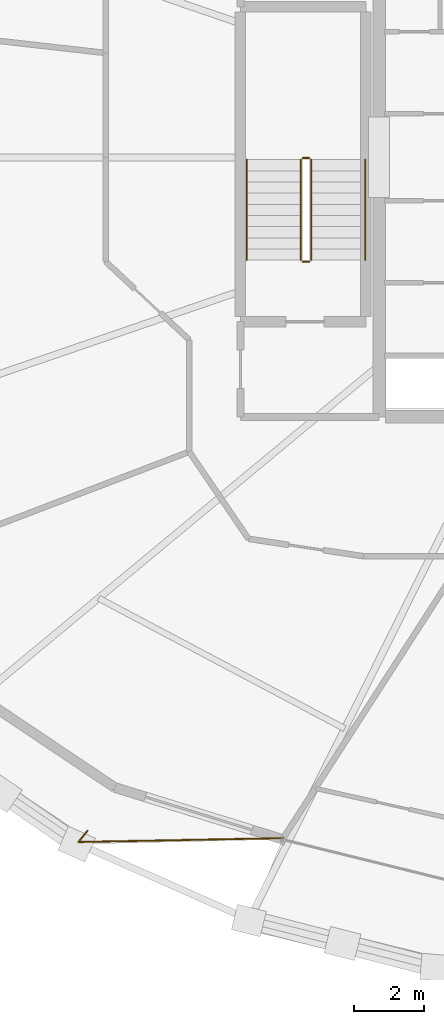
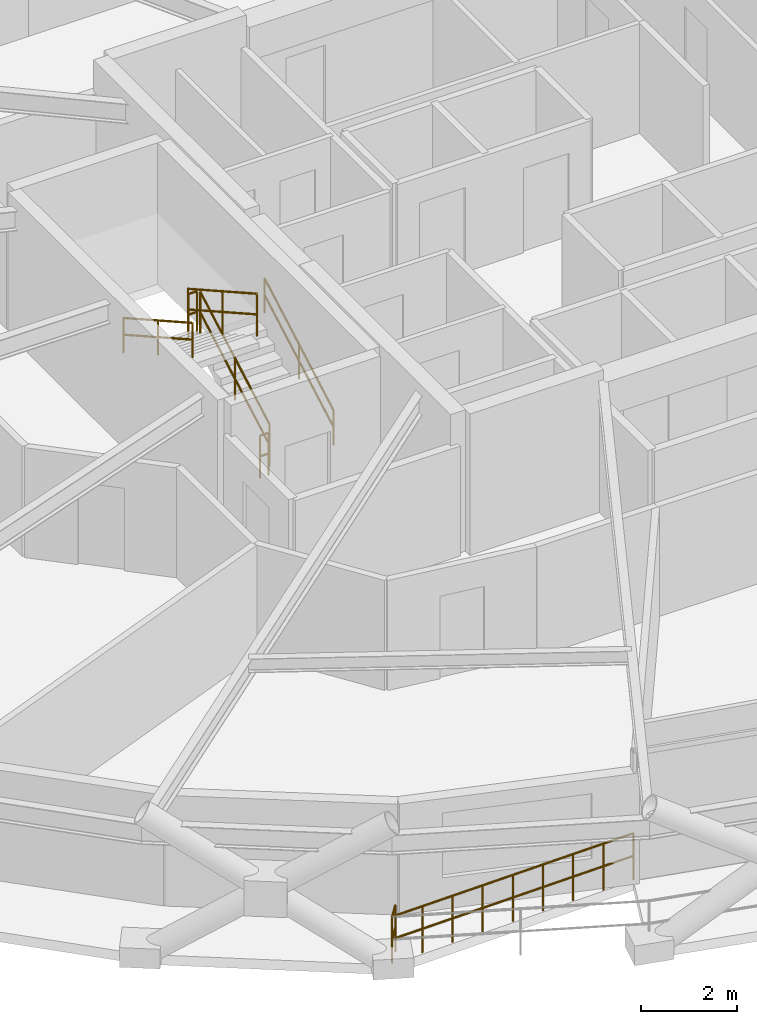
# One storey, part 19 of 21: 7 railings.
"""IFC4 building model written with IfcOpenShell, lengths in metres."""

from ifc_helpers import new_model, si_unit, direction, frame, origin, origin_2d, place, context, subcontext, project, spatial, circle, extrude, material, type_object, element, save


model = new_model("IFC4")

# Units and contexts
model_context = context("Model", 3, precision=1e-05, world=origin(), true_north=direction((0.0, 1.0)))
body_context = subcontext(model_context, "Body", "Model", "MODEL_VIEW")
ifc_project = project(units=[si_unit("LENGTHUNIT", "METRE"), si_unit("AREAUNIT", "SQUARE_METRE"), si_unit("VOLUMEUNIT", "CUBIC_METRE"), si_unit("PLANEANGLEUNIT", "RADIAN"), si_unit("MASSUNIT", "GRAM", prefix="KILO")], contexts=[model_context])

# Site, building, storey
site_placement = place(None, origin())
site = spatial("IfcSite", under=ifc_project, at=site_placement, CompositionType="ELEMENT")
building_placement = place(site_placement, origin())
building = spatial("IfcBuilding", under=site, at=building_placement, Name="Veldorina Hangang Commons", CompositionType="ELEMENT")
storey_placement = place(building_placement, frame((0.0, 0.0, 128.0)))
storey = spatial("IfcBuildingStorey", under=building, at=storey_placement, Name="L32", CompositionType="ELEMENT", Elevation=128.0)

# Railings
ifc_material_1 = material(Name="Glass Laminated Safety Balustrade", Category="glass")
railing_type_1 = type_object("IfcRailingType", Name="RL-BAL-LOGGIA", PredefinedType="BALUSTRADE", material=ifc_material_1)
railing_1_placement = place(storey_placement, frame((16.432373046875, 4.67529296875, 0.0)))
element("IfcRailing", 1, at=railing_1_placement, inside=storey, type_object=railing_type_1, Name="L32 sky-garden loggia end balustrade A", PredefinedType="BALUSTRADE", context=body_context, shape_type="SweptSolid", body=[
    extrude(circle(Radius=0.02392578125, at=origin_2d()), frame((0.0, 0.0, 1.17578125), z_axis=(-0.627172855925, -0.77888009911, 0.0), x_axis=(0.77888009911, -0.627172855925, 0.0)), (0.0, 0.0, 1.0), 0.419921875),
    extrude(circle(Radius=0.02392578125, at=origin_2d()), frame((0.0, 0.0, 0.60009765625), z_axis=(-0.627172855925, -0.77888009911, 0.0), x_axis=(0.77888009911, -0.627172855925, 0.0)), (0.0, 0.0, 1.0), 0.419921875),
    extrude(circle(Radius=0.02392578125, at=origin_2d()), frame((-0.263427734375, -0.3271484375, 1.17578125), z_axis=(0.999822831081, 0.018823029776, 0.0), x_axis=(-0.018823029776, 0.999822831081, 0.0)), (0.0, 0.0, 1.0), 5.87548828125),
    extrude(circle(Radius=0.02392578125, at=origin_2d()), frame((-0.263427734375, -0.3271484375, 0.60009765625), z_axis=(0.999822831081, 0.018823029776, 0.0), x_axis=(-0.018823029776, 0.999822831081, 0.0)), (0.0, 0.0, 1.0), 5.87548828125),
    extrude(circle(Radius=0.02099609375, at=origin_2d()), origin(), (0.0, 0.0, 1.0), 1.15185546875),
    extrude(circle(Radius=0.02099609375, at=origin_2d()), frame((-0.263427734375, -0.3271484375, 0.0)), (0.0, 0.0, 1.0), 1.15185546875),
    extrude(circle(Radius=0.02099609375, at=origin_2d()), frame((0.470947265625, -0.313232421875, 0.0)), (0.0, 0.0, 1.0), 1.15185546875),
    extrude(circle(Radius=0.02099609375, at=origin_2d()), frame((1.205078125, -0.299560546875, 0.0)), (0.0, 0.0, 1.0), 1.15185546875),
    extrude(circle(Radius=0.02099609375, at=origin_2d()), frame((1.939453125, -0.28564453125, 0.0)), (0.0, 0.0, 1.0), 1.15185546875),
    extrude(circle(Radius=0.02099609375, at=origin_2d()), frame((2.673828125, -0.27197265625, 0.0)), (0.0, 0.0, 1.0), 1.15185546875),
    extrude(circle(Radius=0.02099609375, at=origin_2d()), frame((3.408203125, -0.258056640625, 0.0)), (0.0, 0.0, 1.0), 1.15185546875),
    extrude(circle(Radius=0.02099609375, at=origin_2d()), frame((4.142578125, -0.244140625, 0.0)), (0.0, 0.0, 1.0), 1.15185546875),
    extrude(circle(Radius=0.02099609375, at=origin_2d()), frame((4.876708984375, -0.23046875, 0.0)), (0.0, 0.0, 1.0), 1.15185546875),
    extrude(circle(Radius=0.02099609375, at=origin_2d()), frame((5.611083984375, -0.216552734375, 0.0)), (0.0, 0.0, 1.0), 1.15185546875),
])
ifc_material_2 = material(Name="Steel Painted Balustrade", Category="steel")
railing_type_2 = type_object("IfcRailingType", Name="RL-GRD-STAIR", PredefinedType="GUARDRAIL", material=ifc_material_2)
railing_2_placement = place(storey_placement, frame((22.85009765625, 21.050048828125, 0.179931640625)))
element("IfcRailing", 2, at=railing_2_placement, inside=storey, type_object=railing_type_2, Name="L32 ST-1 stair guard 1", PredefinedType="GUARDRAIL", context=body_context, shape_type="SweptSolid", body=[
    extrude(circle(Radius=0.02392578125, at=origin_2d()), frame((0.0, 0.0, 1.076171875), z_axis=(0.0, 0.87155185771, 0.490303333991), x_axis=(-1.0, 0.0, 0.0)), (0.0, 0.0, 1.0), 3.30419921875),
    extrude(circle(Radius=0.02392578125, at=origin_2d()), frame((0.0, 0.0, 0.550048828125), z_axis=(0.0, 0.87155185771, 0.490303333991), x_axis=(-1.0, 0.0, 0.0)), (0.0, 0.0, 1.0), 3.30419921875),
    extrude(circle(Radius=0.02099609375, at=origin_2d()), origin(), (0.0, 0.0, 1.0), 1.052001953125),
    extrude(circle(Radius=0.02099609375, at=origin_2d()), frame((0.0, 1.43994140625, 0.81005859375)), (0.0, 0.0, 1.0), 1.052001953125),
    extrude(circle(Radius=0.02099609375, at=origin_2d()), frame((0.0, 2.8798828125, 1.6201171875)), (0.0, 0.0, 1.0), 1.052001953125),
])
railing_3_placement = place(storey_placement, frame((22.800048828125, 23.97998046875, 1.800048828125)))
element("IfcRailing", 3, at=railing_3_placement, inside=storey, type_object=railing_type_2, Name="L32 ST-1 stair guard 2", PredefinedType="GUARDRAIL", context=body_context, shape_type="SweptSolid", body=[
    extrude(circle(Radius=0.02392578125, at=origin_2d()), frame((0.0, 0.0, 1.076171875), z_axis=(-1.0, 0.0, 0.0), x_axis=(0.0, -1.0, 0.0)), (0.0, 0.0, 1.0), 0.199951171875),
    extrude(circle(Radius=0.02392578125, at=origin_2d()), frame((0.0, 0.0, 0.550048828125), z_axis=(-1.0, 0.0, 0.0), x_axis=(0.0, -1.0, 0.0)), (0.0, 0.0, 1.0), 0.199951171875),
    extrude(circle(Radius=0.02099609375, at=origin_2d()), origin(), (0.0, 0.0, 1.0), 1.052001953125),
    extrude(circle(Radius=0.02099609375, at=origin_2d()), frame((-0.199951171875, 0.0, 0.0)), (0.0, 0.0, 1.0), 1.052001953125),
])
railing_4_placement = place(storey_placement, frame((22.550048828125, 23.929931640625, 1.97998046875)))
element("IfcRailing", 4, at=railing_4_placement, inside=storey, type_object=railing_type_2, Name="L32 ST-1 stair guard 3", PredefinedType="GUARDRAIL", context=body_context, shape_type="SweptSolid", body=[
    extrude(circle(Radius=0.02392578125, at=origin_2d()), frame((0.0, 0.0, 1.076171875), z_axis=(0.0, -0.87155185771, 0.490303333991), x_axis=(1.0, 0.0, 0.0)), (0.0, 0.0, 1.0), 3.30419921875),
    extrude(circle(Radius=0.02392578125, at=origin_2d()), frame((0.0, 0.0, 0.550048828125), z_axis=(0.0, -0.87155185771, 0.490303333991), x_axis=(1.0, 0.0, 0.0)), (0.0, 0.0, 1.0), 3.30419921875),
    extrude(circle(Radius=0.02099609375, at=origin_2d()), origin(), (0.0, 0.0, 1.0), 1.052001953125),
    extrude(circle(Radius=0.02099609375, at=origin_2d()), frame((0.0, -1.43994140625, 0.81005859375)), (0.0, 0.0, 1.0), 1.052001953125),
    extrude(circle(Radius=0.02099609375, at=origin_2d()), frame((0.0, -2.8798828125, 1.6201171875)), (0.0, 0.0, 1.0), 1.052001953125),
])
railing_5_placement = place(storey_placement, frame((22.800048828125, 21.0, 0.0)))
element("IfcRailing", 5, at=railing_5_placement, inside=storey, type_object=railing_type_2, Name="L32 ST-1 stair guard 4", PredefinedType="GUARDRAIL", context=body_context, shape_type="SweptSolid", body=[
    extrude(circle(Radius=0.02392578125, at=origin_2d()), frame((0.0, 0.0, 1.076171875), z_axis=(-1.0, 0.0, 0.0), x_axis=(0.0, -1.0, 0.0)), (0.0, 0.0, 1.0), 0.199951171875),
    extrude(circle(Radius=0.02392578125, at=origin_2d()), frame((0.0, 0.0, 0.550048828125), z_axis=(-1.0, 0.0, 0.0), x_axis=(0.0, -1.0, 0.0)), (0.0, 0.0, 1.0), 0.199951171875),
    extrude(circle(Radius=0.02099609375, at=origin_2d()), origin(), (0.0, 0.0, 1.0), 1.052001953125),
    extrude(circle(Radius=0.02099609375, at=origin_2d()), frame((-0.199951171875, 0.0, 0.0)), (0.0, 0.0, 1.0), 1.052001953125),
])
ifc_material_3 = material(Name="Stainless Steel Brushed 316", Category="steel")
railing_type_3 = type_object("IfcRailingType", Name="RL-HND-STAIR", PredefinedType="HANDRAIL", material=ifc_material_3)
railing_6_placement = place(storey_placement, frame((24.39990234375, 21.050048828125, 0.179931640625)))
element("IfcRailing", 6, at=railing_6_placement, inside=storey, type_object=railing_type_3, Name="L32 ST-1 stair handrail 1", PredefinedType="HANDRAIL", context=body_context, shape_type="SweptSolid", body=[
    extrude(circle(Radius=0.02392578125, at=origin_2d()), frame((0.0, 0.0, 0.8759765625), z_axis=(0.0, 0.87155185771, 0.490303333991), x_axis=(-1.0, 0.0, 0.0)), (0.0, 0.0, 1.0), 3.30419921875),
    extrude(circle(Radius=0.02392578125, at=origin_2d()), frame((0.0, 0.0, 0.449951171875), z_axis=(0.0, 0.87155185771, 0.490303333991), x_axis=(-1.0, 0.0, 0.0)), (0.0, 0.0, 1.0), 3.30419921875),
    extrude(circle(Radius=0.02099609375, at=origin_2d()), origin(), (0.0, 0.0, 1.0), 0.851806640625),
    extrude(circle(Radius=0.02099609375, at=origin_2d()), frame((0.0, 1.43994140625, 0.81005859375)), (0.0, 0.0, 1.0), 0.851806640625),
    extrude(circle(Radius=0.02099609375, at=origin_2d()), frame((0.0, 2.8798828125, 1.6201171875)), (0.0, 0.0, 1.0), 0.851806640625),
])
railing_7_placement = place(storey_placement, frame((21.0, 23.929931640625, 1.97998046875)))
element("IfcRailing", 7, at=railing_7_placement, inside=storey, type_object=railing_type_3, Name="L32 ST-1 stair handrail 2", PredefinedType="HANDRAIL", context=body_context, shape_type="SweptSolid", body=[
    extrude(circle(Radius=0.02392578125, at=origin_2d()), frame((0.0, 0.0, 0.8759765625), z_axis=(0.0, -0.87155185771, 0.490303333991), x_axis=(1.0, 0.0, 0.0)), (0.0, 0.0, 1.0), 3.30419921875),
    extrude(circle(Radius=0.02392578125, at=origin_2d()), frame((0.0, 0.0, 0.449951171875), z_axis=(0.0, -0.87155185771, 0.490303333991), x_axis=(1.0, 0.0, 0.0)), (0.0, 0.0, 1.0), 3.30419921875),
    extrude(circle(Radius=0.02099609375, at=origin_2d()), origin(), (0.0, 0.0, 1.0), 0.851806640625),
    extrude(circle(Radius=0.02099609375, at=origin_2d()), frame((0.0, -1.43994140625, 0.81005859375)), (0.0, 0.0, 1.0), 0.851806640625),
    extrude(circle(Radius=0.02099609375, at=origin_2d()), frame((0.0, -2.8798828125, 1.6201171875)), (0.0, 0.0, 1.0), 0.851806640625),
])

save(model, "model.ifc")
